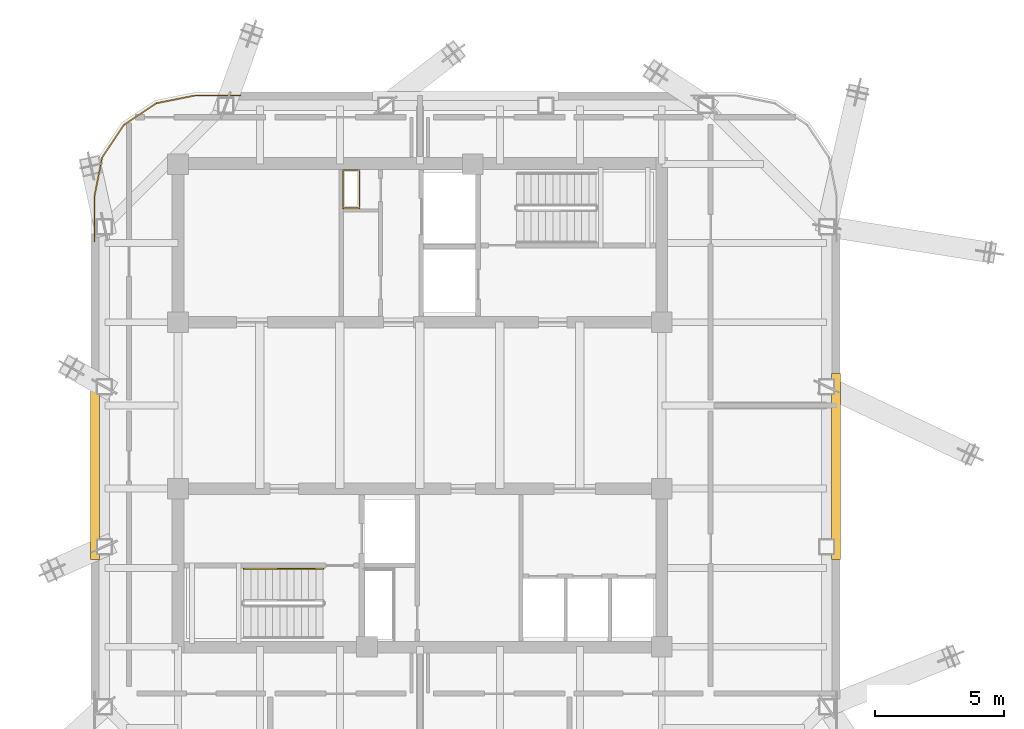
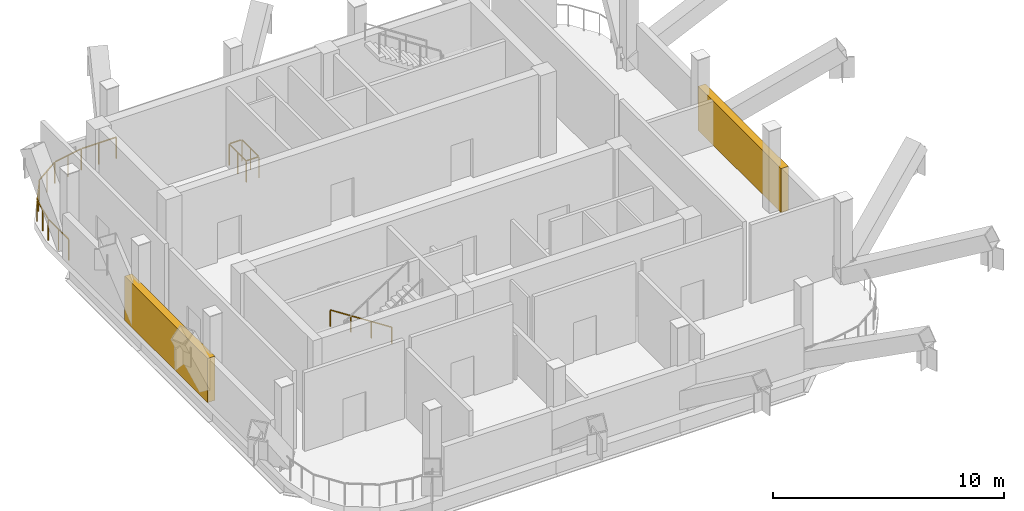
# One storey, part 6 of 7: 3 railings, 2 shading devices.
"""IFC4 building model written with IfcOpenShell, lengths in metres."""

from ifc_helpers import new_model, si_unit, direction, frame, origin, origin_2d, place, context, subcontext, project, spatial, rectangle, extrude, material, type_object, element, save


model = new_model("IFC4")

# Units and contexts
model_context = context("Model", 3, precision=1e-05, world=origin(), true_north=direction((0.0, 1.0)))
body_context = subcontext(model_context, "Body", "Model", "MODEL_VIEW")
ifc_project = project(units=[si_unit("LENGTHUNIT", "METRE"), si_unit("AREAUNIT", "SQUARE_METRE"), si_unit("VOLUMEUNIT", "CUBIC_METRE"), si_unit("PLANEANGLEUNIT", "RADIAN"), si_unit("MASSUNIT", "GRAM", prefix="KILO")], contexts=[model_context])

# Site, building, storey
site_placement = place(None, origin())
site = spatial("IfcSite", under=ifc_project, at=site_placement, CompositionType="ELEMENT")
building_placement = place(site_placement, origin())
building = spatial("IfcBuilding", under=site, at=building_placement, Name="Qhalaya Broadcast Tower", CompositionType="ELEMENT")
storey_placement = place(building_placement, frame((0.0, 0.0, 238.5)))
storey = spatial("IfcBuildingStorey", under=building, at=storey_placement, Name="L70", CompositionType="ELEMENT", Elevation=238.5)

# Shading devices
ifc_material_1 = material(Name="Fired Architectural Terracotta", Category="masonry")
shading_device_type = type_object("IfcShadingDeviceType", Name="Plant & Turbine-Slot Acoustic Louvre Screen LVS-01", PredefinedType="USERDEFINED", material=ifc_material_1)
for number, where, z_axis, x_axis, name in (
    (1, (16.1298828125, -1.77001953125, 0.0), (0.0, 0.0, 1.0), (0.0, -1.0, 0.0), "L70 Plant Acoustic Louvre Screen E"),
    (2, (-12.590087890625, -1.77001953125, 0.0), (0.0, 0.0, 1.0), (0.0, 1.0, 0.0), "L70 Plant Acoustic Louvre Screen W"),
):
    element("IfcShadingDevice", number, at=place(storey_placement, frame(where, z_axis=z_axis, x_axis=x_axis)), inside=storey, type_object=shading_device_type, Name=name, ObjectType="LOUVRE", PredefinedType="USERDEFINED", context=body_context, shape_type="SweptSolid", body=[
        extrude(rectangle(XDim=7.199951171875, YDim=0.360107421875, at=origin_2d()), origin(), (0.0, 0.0, 1.0), 2.340087890625),
    ])

# Railings
ifc_material_2 = material(Name="Powder-Coated Galvanised Steel", Category="steel")
railing_type_1 = type_object("IfcRailingType", Name="Stair Wall Handrail 900", PredefinedType="HANDRAIL", material=ifc_material_2)
railing_1_placement = place(storey_placement, frame((-3.75, -5.72998046875, 0.18115234375)))
element("IfcRailing", 3, at=railing_1_placement, inside=storey, type_object=railing_type_1, Name="L70 ST-2 Stair Handrail 1", PredefinedType="HANDRAIL", context=body_context, shape_type="SweptSolid", body=[
    extrude(rectangle(XDim=0.048095703125, YDim=0.048095703125, at=origin_2d()), frame((0.0, 0.0, 0.8759765625), z_axis=(-0.8394576718, 0.0, 0.543425079708), x_axis=(0.0, -1.0, 0.0)), (0.0, 0.0, 1.0), 3.669189453125),
    extrude(rectangle(XDim=0.0419921875, YDim=0.0419921875, at=origin_2d()), origin(), (0.0, 0.0, 1.0), 0.849853515625),
    extrude(rectangle(XDim=0.0419921875, YDim=0.0419921875, at=origin_2d()), frame((-1.026611328125, 0.0, 0.66455078125)), (0.0, 0.0, 1.0), 0.849853515625),
    extrude(rectangle(XDim=0.0419921875, YDim=0.0419921875, at=origin_2d()), frame((-2.053466796875, 0.0, 1.329345703125)), (0.0, 0.0, 1.0), 0.849853515625),
    extrude(rectangle(XDim=0.0419921875, YDim=0.0419921875, at=origin_2d()), frame((-3.080078125, 0.0, 1.993896484375)), (0.0, 0.0, 1.0), 0.849853515625),
])
railing_type_2 = type_object("IfcRailingType", Name="Stair Well & Landing Guardrail 1100", PredefinedType="GUARDRAIL", material=ifc_material_2)
railing_2_placement = place(storey_placement, frame((-2.340087890625, 8.239990234375, 0.0)))
element("IfcRailing", 4, at=railing_2_placement, inside=storey, type_object=railing_type_2, Name="L70 Service Riser Opening Safety Guard NRSR", PredefinedType="GUARDRAIL", context=body_context, shape_type="SweptSolid", body=[
    extrude(rectangle(XDim=0.048095703125, YDim=0.048095703125, at=origin_2d()), frame((0.0, 0.02880859375, 1.1259765625), z_axis=(0.0, 1.0, 0.0), x_axis=(-1.0, 0.0, 0.0)), (0.0, 0.0, 1.0), 1.42236328125),
    extrude(rectangle(XDim=0.048095703125, YDim=0.048095703125, at=origin_2d()), frame((-0.02880859375, 1.47998046875, 1.1259765625), z_axis=(-1.0, 0.0, 0.0), x_axis=(0.0, -1.0, 0.0)), (0.0, 0.0, 1.0), 0.582275390625),
    extrude(rectangle(XDim=0.048095703125, YDim=0.048095703125, at=origin_2d()), frame((-0.639892578125, 1.451171875, 1.1259765625), z_axis=(0.0, -1.0, 0.0), x_axis=(1.0, 0.0, 0.0)), (0.0, 0.0, 1.0), 1.42236328125),
    extrude(rectangle(XDim=0.048095703125, YDim=0.048095703125, at=origin_2d()), frame((-0.611083984375, 0.0, 1.1259765625), z_axis=(1.0, 0.0, 0.0), x_axis=(0.0, 1.0, 0.0)), (0.0, 0.0, 1.0), 0.582275390625),
    extrude(rectangle(XDim=0.0419921875, YDim=0.0419921875, at=origin_2d()), origin(), (0.0, 0.0, 1.0), 1.099853515625),
    extrude(rectangle(XDim=0.0419921875, YDim=0.0419921875, at=origin_2d()), frame((0.0, 0.739990234375, 0.0)), (0.0, 0.0, 1.0), 1.099853515625),
    extrude(rectangle(XDim=0.0419921875, YDim=0.0419921875, at=origin_2d()), frame((0.0, 1.47998046875, 0.0)), (0.0, 0.0, 1.0), 1.099853515625),
    extrude(rectangle(XDim=0.0419921875, YDim=0.0419921875, at=origin_2d()), frame((-0.639892578125, 1.47998046875, 0.0)), (0.0, 0.0, 1.0), 1.099853515625),
    extrude(rectangle(XDim=0.0419921875, YDim=0.0419921875, at=origin_2d()), frame((-0.639892578125, 0.739990234375, 0.0)), (0.0, 0.0, 1.0), 1.099853515625),
    extrude(rectangle(XDim=0.0419921875, YDim=0.0419921875, at=origin_2d()), frame((-0.639892578125, 0.0, 0.0)), (0.0, 0.0, 1.0), 1.099853515625),
])
railing_type_3 = type_object("IfcRailingType", Name="Terrace, Sky-Pool & Lookout Glass Balustrade 1150", PredefinedType="BALUSTRADE", material=ifc_material_2)
railing_3_placement = place(storey_placement, frame((-12.610107421875, 6.9619140625, 0.0)))
element("IfcRailing", 5, at=railing_3_placement, inside=storey, type_object=railing_type_3, Name="L70 Rounded Corner Perimeter Guard 03", PredefinedType="BALUSTRADE", context=body_context, shape_type="SweptSolid", body=[
    extrude(rectangle(XDim=0.048095703125, YDim=0.048095703125, at=origin_2d()), frame((0.0, 0.0, 1.1259765625), z_axis=(0.0, 1.0, 0.0), x_axis=(-1.0, 0.0, 0.0)), (0.0, 0.0, 1.0), 1.7275390625),
    extrude(rectangle(XDim=0.048095703125, YDim=0.048095703125, at=origin_2d()), frame((0.005615234375, 1.78466796875, 1.1259765625), z_axis=(0.195161601391, 0.980771099361, 0.0), x_axis=(-0.980771099361, 0.195161601391, 0.0)), (0.0, 0.0, 1.0), 1.46728515625),
    extrude(rectangle(XDim=0.048095703125, YDim=0.048095703125, at=origin_2d()), frame((0.313720703125, 3.27587890625, 1.1259765625), z_axis=(0.555556342146, 0.83147889372, 0.0), x_axis=(-0.83147889372, 0.555556342146, 0.0)), (0.0, 0.0, 1.0), 1.455322265625),
    extrude(rectangle(XDim=0.048095703125, YDim=0.048095703125, at=origin_2d()), frame((1.162109375, 4.526123046875, 1.1259765625), z_axis=(0.83147889372, 0.555556342146, 0.0), x_axis=(-0.555556342146, 0.83147889372, 0.0)), (0.0, 0.0, 1.0), 1.455322265625),
    extrude(rectangle(XDim=0.048095703125, YDim=0.048095703125, at=origin_2d()), frame((2.424560546875, 5.356201171875, 1.1259765625), z_axis=(0.980771099361, 0.195161601391, 0.0), x_axis=(-0.195161601391, 0.980771099361, 0.0)), (0.0, 0.0, 1.0), 1.46728515625),
    extrude(rectangle(XDim=0.048095703125, YDim=0.048095703125, at=origin_2d()), frame((3.920654296875, 5.648193359375, 1.1259765625), z_axis=(1.0, 0.0, 0.0), x_axis=(0.0, 1.0, 0.0)), (0.0, 0.0, 1.0), 1.7275390625),
    extrude(rectangle(XDim=0.0419921875, YDim=0.0419921875, at=origin_2d()), origin(), (0.0, 0.0, 1.0), 1.099853515625),
    extrude(rectangle(XDim=0.0419921875, YDim=0.0419921875, at=origin_2d()), frame((0.0, 0.878173828125, 0.0)), (0.0, 0.0, 1.0), 1.099853515625),
    extrude(rectangle(XDim=0.0419921875, YDim=0.0419921875, at=origin_2d()), frame((0.0, 1.75634765625, 0.0)), (0.0, 0.0, 1.0), 1.099853515625),
    extrude(rectangle(XDim=0.0419921875, YDim=0.0419921875, at=origin_2d()), frame((0.14892578125, 2.504150390625, 0.0)), (0.0, 0.0, 1.0), 1.099853515625),
    extrude(rectangle(XDim=0.0419921875, YDim=0.0419921875, at=origin_2d()), frame((0.297607421875, 3.251953125, 0.0)), (0.0, 0.0, 1.0), 1.099853515625),
    extrude(rectangle(XDim=0.0419921875, YDim=0.0419921875, at=origin_2d()), frame((0.7177734375, 3.880859375, 0.0)), (0.0, 0.0, 1.0), 1.099853515625),
    extrude(rectangle(XDim=0.0419921875, YDim=0.0419921875, at=origin_2d()), frame((1.13818359375, 4.510009765625, 0.0)), (0.0, 0.0, 1.0), 1.099853515625),
    extrude(rectangle(XDim=0.0419921875, YDim=0.0419921875, at=origin_2d()), frame((1.76708984375, 4.93017578125, 0.0)), (0.0, 0.0, 1.0), 1.099853515625),
    extrude(rectangle(XDim=0.0419921875, YDim=0.0419921875, at=origin_2d()), frame((2.396240234375, 5.3505859375, 0.0)), (0.0, 0.0, 1.0), 1.099853515625),
    extrude(rectangle(XDim=0.0419921875, YDim=0.0419921875, at=origin_2d()), frame((3.14404296875, 5.49951171875, 0.0)), (0.0, 0.0, 1.0), 1.099853515625),
    extrude(rectangle(XDim=0.0419921875, YDim=0.0419921875, at=origin_2d()), frame((3.891845703125, 5.648193359375, 0.0)), (0.0, 0.0, 1.0), 1.099853515625),
    extrude(rectangle(XDim=0.0419921875, YDim=0.0419921875, at=origin_2d()), frame((4.77001953125, 5.648193359375, 0.0)), (0.0, 0.0, 1.0), 1.099853515625),
    extrude(rectangle(XDim=0.0419921875, YDim=0.0419921875, at=origin_2d()), frame((5.648193359375, 5.648193359375, 0.0)), (0.0, 0.0, 1.0), 1.099853515625),
])

save(model, "model.ifc")
